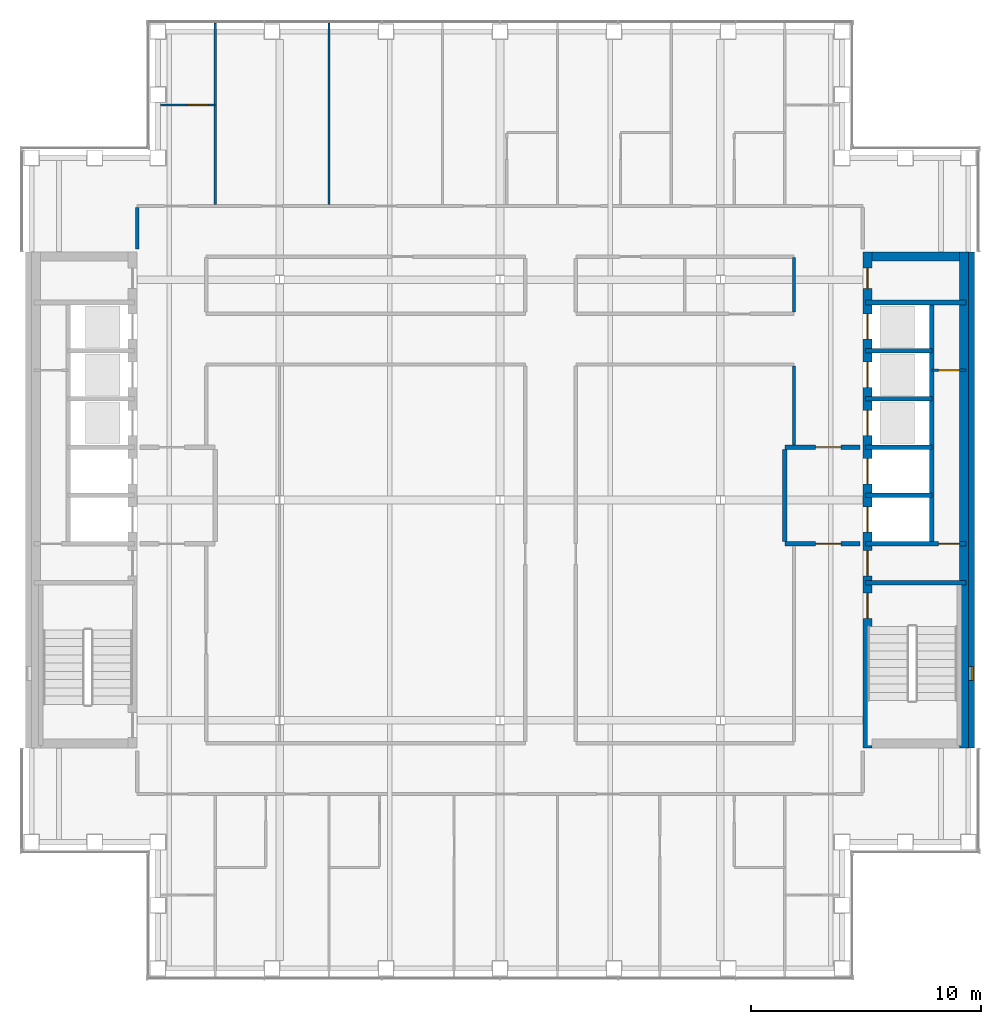
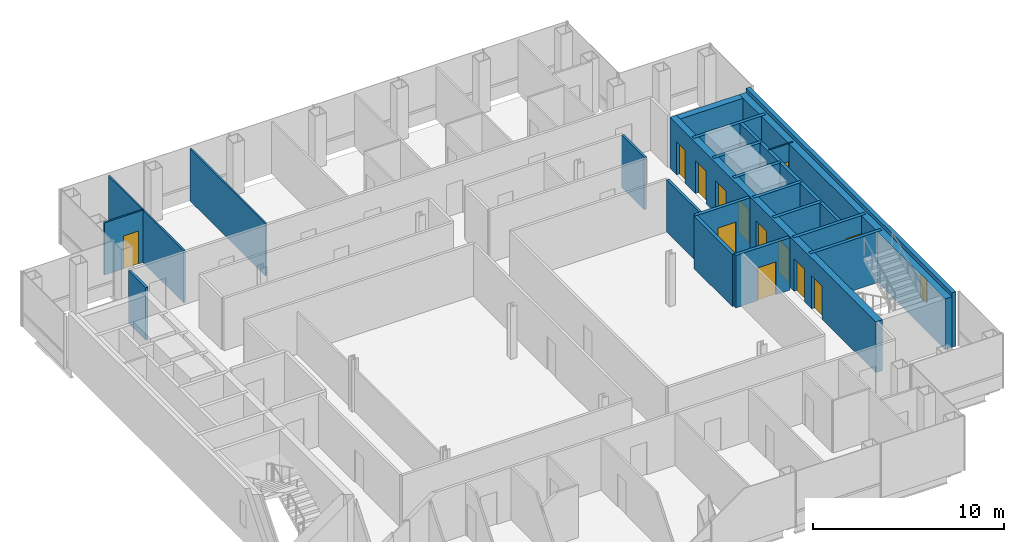
# One storey, part 12 of 15: 22 walls, 13 doors, 1 window, 14 openings.
"""IFC4 building model written with IfcOpenShell, lengths in metres."""

from ifc_helpers import new_model, si_unit, direction, frame, frame_2d, origin, place, context, subcontext, project, spatial, rectangle, extrude, material, layer, layer_set, type_object, element, fill, save


model = new_model("IFC4")

# Units and contexts
model_context = context("Model", 3, precision=1e-05, world=origin(), true_north=direction((0.0, 1.0)))
body_context = subcontext(model_context, "Body", "Model", "MODEL_VIEW")
ifc_project = project(units=[si_unit("LENGTHUNIT", "METRE"), si_unit("AREAUNIT", "SQUARE_METRE"), si_unit("VOLUMEUNIT", "CUBIC_METRE"), si_unit("PLANEANGLEUNIT", "RADIAN"), si_unit("MASSUNIT", "GRAM", prefix="KILO")], contexts=[model_context])

# Site, building, storey
site_placement = place(None, origin())
site = spatial("IfcSite", under=ifc_project, at=site_placement, CompositionType="ELEMENT")
building_placement = place(site_placement, origin())
building = spatial("IfcBuilding", under=site, at=building_placement, Name="Cobrizo Arcos Hotel Tower", CompositionType="ELEMENT")
storey_placement = place(building_placement, frame((0.0, 0.0, 215.5)))
storey = spatial("IfcBuildingStorey", under=building, at=storey_placement, Name="L56", CompositionType="ELEMENT", Elevation=215.5)

# Walls
ifc_material_1 = material(Name="Gypsum board partition")
ifc_layer_1 = layer(ifc_material_1, 0.14990234375)
ifc_layer_set_1 = layer_set([ifc_layer_1], Name="Corridor wall EI 60 150")
wall_type_1 = type_object("IfcWallType", Name="Corridor wall EI 60 150", PredefinedType="PARTITIONING", material=ifc_layer_set_1)
wall_1_placement = place(storey_placement, frame((-15.800048828125, 10.919921875, 0.0), z_axis=(0.0, 0.0, 1.0), x_axis=(0.0, 1.0, 0.0)))
element("IfcWall", 1, at=wall_1_placement, inside=storey, type_object=wall_type_1, Name="Partition 044", PredefinedType="PARTITIONING", context=body_context, shape_type="SweptSolid", body=[
    extrude(rectangle(XDim=1.80517578125, YDim=0.14990234375, at=frame_2d((0.902587890625, 0.0))), origin(), (0.0, 0.0, 1.0), 3.35009765625),
])
wall_2_placement = place(storey_placement, frame((12.800048828125, 2.39990234375, 0.0), z_axis=(0.0, 0.0, 1.0), x_axis=(0.0, 1.0, 0.0)))
element("IfcWall", 2, at=wall_2_placement, inside=storey, type_object=wall_type_1, Name="Partition 079", PredefinedType="PARTITIONING", context=body_context, shape_type="SweptSolid", body=[
    extrude(rectangle(XDim=3.425048828125, YDim=0.14990234375, at=frame_2d((1.71240234375, 0.0))), origin(), (0.0, 0.0, 1.0), 3.35009765625),
])
wall_3_placement = place(storey_placement, frame((12.800048828125, 8.175048828125, 0.0), z_axis=(0.0, 0.0, 1.0), x_axis=(0.0, 1.0, 0.0)))
element("IfcWall", 3, at=wall_3_placement, inside=storey, type_object=wall_type_1, Name="Partition 080", PredefinedType="PARTITIONING", context=body_context, shape_type="SweptSolid", body=[
    extrude(rectangle(XDim=2.375, YDim=0.14990234375, at=frame_2d((1.1875, 0.0))), origin(), (0.0, 0.0, 1.0), 3.35009765625),
])

# Wall, opening, window
ifc_material_2 = material(Name="Aluminium composite panel pale metal", Category="aluminium")
ifc_layer_2 = layer(ifc_material_2, 0.25)
ifc_layer_set_2 = layer_set([ifc_layer_2], Name="EW-1 insulated panel wall 250")
wall_type_2 = type_object("IfcWallType", Name="EW-1 insulated panel wall 250", PredefinedType="SOLIDWALL", material=ifc_layer_set_2)
wall_4_placement = place(storey_placement, frame((20.52490234375, -10.800048828125, 0.0), z_axis=(0.0, 0.0, 1.0), x_axis=(0.0, 1.0, 0.0)))
wall_4 = element("IfcWall", 4, at=wall_4_placement, inside=storey, type_object=wall_type_2, Name="Core face wall L56 E", PredefinedType="SOLIDWALL", context=body_context, shape_type="SweptSolid", body=[
    extrude(rectangle(XDim=21.60009765625, YDim=0.25, at=frame_2d((10.800048828125, 0.0))), origin(), (0.0, 0.0, 1.0), 3.5),
])
opening_1_placement = place(wall_4_placement, frame((2.949951171875, 0.0, 1.0)))
opening_1 = element("IfcOpeningElement", 5, at=opening_1_placement, cuts=wall_4, Name="Opening W-125", PredefinedType="OPENING", context=body_context, shape_type="SweptSolid", body=[
    extrude(rectangle(XDim=0.60009765625, YDim=1.5, at=frame_2d((0.300048828125, 0.75))), frame((0.0, 0.136962890625, 0.0), z_axis=(0.0, -1.0, 0.0), x_axis=(1.0, 0.0, 0.0)), (0.0, 0.0, 1.0), 0.27392578125),
])
ifc_material_3 = material(Name="Aluminium 6063-T6 and clear laminated glass", Category="aluminium")
window_type = type_object("IfcWindowType", Name="W-C1 core stair slot window 600x1500", PartitioningType="SINGLE_PANEL", PredefinedType="WINDOW", material=ifc_material_3)
window_placement = place(opening_1_placement, origin())
window = element("IfcWindow", 6, at=window_placement, inside=storey, type_object=window_type, Name="Core face wall L56 E window W-125", OverallHeight=1.5, OverallWidth=0.60009765625, PartitioningType="SINGLE_PANEL", PredefinedType="WINDOW", context=body_context, shape_type="SweptSolid", body=[
    extrude(rectangle(XDim=0.60009765625, YDim=1.5, at=frame_2d((0.300048828125, 0.75))), frame((0.0, -0.034912109375, 0.0), z_axis=(0.0, -1.0, 0.0), x_axis=(1.0, 0.0, 0.0)), (0.0, 0.0, 1.0), 0.06005859375),
])
fill(opening_1, window)

# Wall, opening, door
ifc_layer_3 = layer(ifc_material_1, 0.10009765625)
ifc_layer_set_3 = layer_set([ifc_layer_3], Name="Partition EI 30 100")
wall_type_3 = type_object("IfcWallType", Name="Partition EI 30 100", PredefinedType="PARTITIONING", material=ifc_layer_set_3)
wall_5_placement = place(storey_placement, frame((18.800048828125, 5.64990234375, 0.0), z_axis=(0.0, 0.0, 1.0), x_axis=(1.0, 0.0, 0.0)))
wall_5 = element("IfcWall", 7, at=wall_5_placement, inside=storey, type_object=wall_type_3, Name="Partition 024", PredefinedType="PARTITIONING", context=body_context, shape_type="SweptSolid", body=[
    extrude(rectangle(XDim=1.47998046875, YDim=0.10009765625, at=frame_2d((0.739990234375, 0.0))), origin(), (0.0, 0.0, 1.0), 3.25),
])
opening_2_placement = place(wall_5_placement, frame((0.300048828125, 0.0, 0.0)))
opening_2 = element("IfcOpeningElement", 8, at=opening_2_placement, cuts=wall_5, Name="Opening RD-05", PredefinedType="OPENING", context=body_context, shape_type="SweptSolid", body=[
    extrude(rectangle(XDim=0.89990234375, YDim=2.10009765625, at=frame_2d((0.449951171875, 1.050048828125))), frame((0.0, 0.06201171875, 0.0), z_axis=(0.0, -1.0, 0.0), x_axis=(1.0, 0.0, 0.0)), (0.0, 0.0, 1.0), 0.1240234375),
])
ifc_material_4 = material(Name="Timber door leaf", Category="wood")
door_type_1 = type_object("IfcDoorType", Name="Room door FD30 900x2100", OperationType="SINGLE_SWING_LEFT", PredefinedType="DOOR", material=ifc_material_4)
door_1_placement = place(opening_2_placement, origin())
door_1 = element("IfcDoor", 9, at=door_1_placement, inside=storey, type_object=door_type_1, Name="Door RD-05", OperationType="SINGLE_SWING_LEFT", OverallHeight=2.10009765625, OverallWidth=0.89990234375, PredefinedType="DOOR", context=body_context, shape_type="SweptSolid", body=[
    extrude(rectangle(XDim=0.89990234375, YDim=2.10009765625, at=frame_2d((0.449951171875, 1.050048828125))), frame((0.0, 0.02490234375, 0.0), z_axis=(0.0, -1.0, 0.0), x_axis=(1.0, 0.0, 0.0)), (0.0, 0.0, 1.0), 0.050048828125),
])
fill(opening_2, door_1)

wall_6_placement = place(storey_placement, frame((-14.780029296875, 17.199951171875, 0.0), z_axis=(0.0, 0.0, 1.0), x_axis=(1.0, 0.0, 0.0)))
wall_6 = element("IfcWall", 10, at=wall_6_placement, inside=storey, type_object=wall_type_3, Name="Partition 039", PredefinedType="PARTITIONING", context=body_context, shape_type="SweptSolid", body=[
    extrude(rectangle(XDim=2.380126953125, YDim=0.10009765625, at=frame_2d((1.18994140625, 0.0))), origin(), (0.0, 0.0, 1.0), 3.35009765625),
])
opening_3_placement = place(wall_6_placement, frame((1.16796875, 0.0, 0.0)))
opening_3 = element("IfcOpeningElement", 11, at=opening_3_placement, cuts=wall_6, Name="Opening ED-09", PredefinedType="OPENING", context=body_context, shape_type="SweptSolid", body=[
    extrude(rectangle(XDim=0.89990234375, YDim=2.10009765625, at=frame_2d((0.449951171875, 1.050048828125))), frame((0.0, 0.06201171875, 0.0), z_axis=(0.0, -1.0, 0.0), x_axis=(1.0, 0.0, 0.0)), (0.0, 0.0, 1.0), 0.1240234375),
])
door_type_2 = type_object("IfcDoorType", Name="En-suite door 900x2100", OperationType="SINGLE_SWING_LEFT", PredefinedType="DOOR", material=ifc_material_4)
door_2_placement = place(opening_3_placement, origin())
door_2 = element("IfcDoor", 12, at=door_2_placement, inside=storey, type_object=door_type_2, Name="Door ED-09", OperationType="SINGLE_SWING_RIGHT", OverallHeight=2.10009765625, OverallWidth=0.89990234375, PredefinedType="DOOR", context=body_context, shape_type="SweptSolid", body=[
    extrude(rectangle(XDim=0.89990234375, YDim=2.10009765625, at=frame_2d((0.449951171875, 1.050048828125))), frame((0.0, 0.02490234375, 0.0), z_axis=(0.0, -1.0, 0.0), x_axis=(1.0, 0.0, 0.0)), (0.0, 0.0, 1.0), 0.050048828125),
])
fill(opening_3, door_2)

# Walls
for number, where, z_axis, x_axis, name in (
    (13, (-12.39990234375, 12.875, 0.0), (0.0, 0.0, 1.0), (0.0, 1.0, 0.0), "Partition 050"),
    (14, (-7.449951171875, 12.875, 0.0), (0.0, 0.0, 1.0), (0.0, 1.0, 0.0), "Partition 058"),
):
    element("IfcWall", number, at=place(storey_placement, frame(where, z_axis=z_axis, x_axis=x_axis)), inside=storey, type_object=wall_type_3, Name=name, PredefinedType="PARTITIONING", context=body_context, shape_type="SweptSolid", body=[
        extrude(rectangle(XDim=7.905029296875, YDim=0.10009765625, at=frame_2d((3.95263671875, 0.0))), origin(), (0.0, 0.0, 1.0), 3.35009765625),
    ])

# Wall, openings, doors
ifc_material_5 = material(Name="Concrete f'c 40 MPa", Category="concrete")
ifc_layer_4 = layer(ifc_material_5, 0.39990234375)
ifc_layer_set_4 = layer_set([ifc_layer_4], Name="RC core wall 400 f'c 40")
wall_type_4 = type_object("IfcWallType", Name="RC core wall 400 f'c 40", PredefinedType="SHEAR", material=ifc_layer_set_4)
wall_7_placement = place(storey_placement, frame((16.0, -10.800048828125, 0.0), z_axis=(0.0, 0.0, 1.0), x_axis=(0.0, 1.0, 0.0)))
wall_7 = element("IfcWall", 15, at=wall_7_placement, inside=storey, type_object=wall_type_4, Name="Core wall CW4, east core, inner face, L56", PredefinedType="SHEAR", context=body_context, shape_type="SweptSolid", body=[
    extrude(rectangle(XDim=21.60009765625, YDim=0.39990234375, at=frame_2d((10.800048828125, 0.0))), origin(), (0.0, 0.0, 1.0), 3.25),
])
opening_4_placement = place(wall_7_placement, frame((9.39990234375, 0.0, 0.0)))
opening_4 = element("IfcOpeningElement", 16, at=opening_4_placement, cuts=wall_7, Name="Opening LD-06", PredefinedType="OPENING", context=body_context, shape_type="SweptSolid", body=[
    extrude(rectangle(XDim=1.10009765625, YDim=2.10009765625, at=frame_2d((0.550048828125, 1.050048828125))), frame((0.0, 0.2119140625, 0.0), z_axis=(0.0, -1.0, 0.0), x_axis=(1.0, 0.0, 0.0)), (0.0, 0.0, 1.0), 0.423828125),
])
opening_5_placement = place(wall_7_placement, frame((11.5, 0.0, 0.0)))
opening_5 = element("IfcOpeningElement", 17, at=opening_5_placement, cuts=wall_7, Name="Opening LD-07", PredefinedType="OPENING", context=body_context, shape_type="SweptSolid", body=[
    extrude(rectangle(XDim=1.10009765625, YDim=2.10009765625, at=frame_2d((0.550048828125, 1.050048828125))), frame((0.0, 0.2119140625, 0.0), z_axis=(0.0, -1.0, 0.0), x_axis=(1.0, 0.0, 0.0)), (0.0, 0.0, 1.0), 0.423828125),
])
opening_6_placement = place(wall_7_placement, frame((13.60009765625, 0.0, 0.0)))
opening_6 = element("IfcOpeningElement", 18, at=opening_6_placement, cuts=wall_7, Name="Opening LD-08", PredefinedType="OPENING", context=body_context, shape_type="SweptSolid", body=[
    extrude(rectangle(XDim=1.10009765625, YDim=2.10009765625, at=frame_2d((0.550048828125, 1.050048828125))), frame((0.0, 0.2119140625, 0.0), z_axis=(0.0, -1.0, 0.0), x_axis=(1.0, 0.0, 0.0)), (0.0, 0.0, 1.0), 0.423828125),
])
opening_7_placement = place(wall_7_placement, frame((15.699951171875, 0.0, 0.0)))
opening_7 = element("IfcOpeningElement", 19, at=opening_7_placement, cuts=wall_7, Name="Opening LD-09", PredefinedType="OPENING", context=body_context, shape_type="SweptSolid", body=[
    extrude(rectangle(XDim=1.10009765625, YDim=2.10009765625, at=frame_2d((0.550048828125, 1.050048828125))), frame((0.0, 0.2119140625, 0.0), z_axis=(0.0, -1.0, 0.0), x_axis=(1.0, 0.0, 0.0)), (0.0, 0.0, 1.0), 0.423828125),
])
opening_8_placement = place(wall_7_placement, frame((17.800048828125, 0.0, 0.0)))
opening_8 = element("IfcOpeningElement", 20, at=opening_8_placement, cuts=wall_7, Name="Opening LD-10", PredefinedType="OPENING", context=body_context, shape_type="SweptSolid", body=[
    extrude(rectangle(XDim=1.10009765625, YDim=2.10009765625, at=frame_2d((0.550048828125, 1.050048828125))), frame((0.0, 0.2119140625, 0.0), z_axis=(0.0, -1.0, 0.0), x_axis=(1.0, 0.0, 0.0)), (0.0, 0.0, 1.0), 0.423828125),
])
opening_9_placement = place(wall_7_placement, frame((5.64208984375, 0.0, 0.0)))
opening_9 = element("IfcOpeningElement", 21, at=opening_9_placement, cuts=wall_7, Name="Opening SD-02", PredefinedType="OPENING", context=body_context, shape_type="SweptSolid", body=[
    extrude(rectangle(XDim=1.10009765625, YDim=2.10009765625, at=frame_2d((0.550048828125, 1.050048828125))), frame((0.0, 0.2119140625, 0.0), z_axis=(0.0, -1.0, 0.0), x_axis=(1.0, 0.0, 0.0)), (0.0, 0.0, 1.0), 0.423828125),
])
opening_10_placement = place(wall_7_placement, frame((7.5, 0.0, 0.0)))
opening_10 = element("IfcOpeningElement", 22, at=opening_10_placement, cuts=wall_7, Name="Opening FD-04", PredefinedType="OPENING", context=body_context, shape_type="SweptSolid", body=[
    extrude(rectangle(XDim=1.10009765625, YDim=2.10009765625, at=frame_2d((0.550048828125, 1.050048828125))), frame((0.0, 0.2119140625, 0.0), z_axis=(0.0, -1.0, 0.0), x_axis=(1.0, 0.0, 0.0)), (0.0, 0.0, 1.0), 0.423828125),
])
opening_11_placement = place(wall_7_placement, frame((20.0, 0.0, 0.0)))
opening_11 = element("IfcOpeningElement", 23, at=opening_11_placement, cuts=wall_7, Name="Opening ED-01", PredefinedType="OPENING", context=body_context, shape_type="SweptSolid", body=[
    extrude(rectangle(XDim=0.89990234375, YDim=2.10009765625, at=frame_2d((0.449951171875, 1.050048828125))), frame((0.0, 0.2119140625, 0.0), z_axis=(0.0, -1.0, 0.0), x_axis=(1.0, 0.0, 0.0)), (0.0, 0.0, 1.0), 0.423828125),
])
door_3_placement = place(opening_11_placement, origin())
door_3 = element("IfcDoor", 24, at=door_3_placement, inside=storey, type_object=door_type_2, Name="Door ED-01", OperationType="SINGLE_SWING_RIGHT", OverallHeight=2.10009765625, OverallWidth=0.89990234375, PredefinedType="DOOR", context=body_context, shape_type="SweptSolid", body=[
    extrude(rectangle(XDim=0.89990234375, YDim=2.10009765625, at=frame_2d((0.449951171875, 1.050048828125))), frame((0.0, 0.02490234375, 0.0), z_axis=(0.0, -1.0, 0.0), x_axis=(1.0, 0.0, 0.0)), (0.0, 0.0, 1.0), 0.050048828125),
])
fill(opening_11, door_3)
ifc_material_6 = material(Name="Steel door leaf", Category="steel")
door_type_3 = type_object("IfcDoorType", Name="Fire door FD60 1100x2100", OperationType="SINGLE_SWING_LEFT", PredefinedType="DOOR", material=ifc_material_6)
door_4_placement = place(opening_10_placement, origin())
door_4 = element("IfcDoor", 25, at=door_4_placement, inside=storey, type_object=door_type_3, Name="Door FD-04", OperationType="SINGLE_SWING_LEFT", OverallHeight=2.10009765625, OverallWidth=1.10009765625, PredefinedType="DOOR", context=body_context, shape_type="SweptSolid", body=[
    extrude(rectangle(XDim=1.10009765625, YDim=2.10009765625, at=frame_2d((0.550048828125, 1.050048828125))), frame((0.0, 0.02490234375, 0.0), z_axis=(0.0, -1.0, 0.0), x_axis=(1.0, 0.0, 0.0)), (0.0, 0.0, 1.0), 0.050048828125),
])
fill(opening_10, door_4)
door_type_4 = type_object("IfcDoorType", Name="Lift landing door 1100x2100", OperationType="SLIDING_TO_LEFT", PredefinedType="DOOR", material=ifc_material_6)
door_5_placement = place(opening_4_placement, origin())
door_5 = element("IfcDoor", 26, at=door_5_placement, inside=storey, type_object=door_type_4, Name="Lift landing door LD-06", OperationType="SLIDING_TO_LEFT", OverallHeight=2.10009765625, OverallWidth=1.10009765625, PredefinedType="DOOR", context=body_context, shape_type="SweptSolid", body=[
    extrude(rectangle(XDim=1.10009765625, YDim=2.10009765625, at=frame_2d((0.550048828125, 1.050048828125))), frame((0.0, 0.02490234375, 0.0), z_axis=(0.0, -1.0, 0.0), x_axis=(1.0, 0.0, 0.0)), (0.0, 0.0, 1.0), 0.050048828125),
])
fill(opening_4, door_5)
door_6_placement = place(opening_5_placement, origin())
door_6 = element("IfcDoor", 27, at=door_6_placement, inside=storey, type_object=door_type_4, Name="Lift landing door LD-07", OperationType="SLIDING_TO_LEFT", OverallHeight=2.10009765625, OverallWidth=1.10009765625, PredefinedType="DOOR", context=body_context, shape_type="SweptSolid", body=[
    extrude(rectangle(XDim=1.10009765625, YDim=2.10009765625, at=frame_2d((0.550048828125, 1.050048828125))), frame((0.0, 0.02490234375, 0.0), z_axis=(0.0, -1.0, 0.0), x_axis=(1.0, 0.0, 0.0)), (0.0, 0.0, 1.0), 0.050048828125),
])
fill(opening_5, door_6)
door_7_placement = place(opening_6_placement, origin())
door_7 = element("IfcDoor", 28, at=door_7_placement, inside=storey, type_object=door_type_4, Name="Lift landing door LD-08", OperationType="SLIDING_TO_LEFT", OverallHeight=2.10009765625, OverallWidth=1.10009765625, PredefinedType="DOOR", context=body_context, shape_type="SweptSolid", body=[
    extrude(rectangle(XDim=1.10009765625, YDim=2.10009765625, at=frame_2d((0.550048828125, 1.050048828125))), frame((0.0, 0.02490234375, 0.0), z_axis=(0.0, -1.0, 0.0), x_axis=(1.0, 0.0, 0.0)), (0.0, 0.0, 1.0), 0.050048828125),
])
fill(opening_6, door_7)
door_8_placement = place(opening_7_placement, origin())
door_8 = element("IfcDoor", 29, at=door_8_placement, inside=storey, type_object=door_type_4, Name="Lift landing door LD-09", OperationType="SLIDING_TO_LEFT", OverallHeight=2.10009765625, OverallWidth=1.10009765625, PredefinedType="DOOR", context=body_context, shape_type="SweptSolid", body=[
    extrude(rectangle(XDim=1.10009765625, YDim=2.10009765625, at=frame_2d((0.550048828125, 1.050048828125))), frame((0.0, 0.02490234375, 0.0), z_axis=(0.0, -1.0, 0.0), x_axis=(1.0, 0.0, 0.0)), (0.0, 0.0, 1.0), 0.050048828125),
])
fill(opening_7, door_8)
door_9_placement = place(opening_8_placement, origin())
door_9 = element("IfcDoor", 30, at=door_9_placement, inside=storey, type_object=door_type_4, Name="Lift landing door LD-10", OperationType="SLIDING_TO_LEFT", OverallHeight=2.10009765625, OverallWidth=1.10009765625, PredefinedType="DOOR", context=body_context, shape_type="SweptSolid", body=[
    extrude(rectangle(XDim=1.10009765625, YDim=2.10009765625, at=frame_2d((0.550048828125, 1.050048828125))), frame((0.0, 0.02490234375, 0.0), z_axis=(0.0, -1.0, 0.0), x_axis=(1.0, 0.0, 0.0)), (0.0, 0.0, 1.0), 0.050048828125),
])
fill(opening_8, door_9)
door_type_5 = type_object("IfcDoorType", Name="Stair door FD60S 1100x2100", OperationType="SINGLE_SWING_LEFT", PredefinedType="DOOR", material=ifc_material_6)
door_10_placement = place(opening_9_placement, origin())
door_10 = element("IfcDoor", 31, at=door_10_placement, inside=storey, type_object=door_type_5, Name="Door SD-02", OperationType="SINGLE_SWING_LEFT", OverallHeight=2.10009765625, OverallWidth=1.10009765625, PredefinedType="DOOR", context=body_context, shape_type="SweptSolid", body=[
    extrude(rectangle(XDim=1.10009765625, YDim=2.10009765625, at=frame_2d((0.550048828125, 1.050048828125))), frame((0.0, 0.02490234375, 0.0), z_axis=(0.0, -1.0, 0.0), x_axis=(1.0, 0.0, 0.0)), (0.0, 0.0, 1.0), 0.050048828125),
])
fill(opening_9, door_10)

# Walls
wall_8_placement = place(storey_placement, frame((20.199951171875, -10.800048828125, 0.0), z_axis=(0.0, 0.0, 1.0), x_axis=(0.0, 1.0, 0.0)))
element("IfcWall", 32, at=wall_8_placement, inside=storey, type_object=wall_type_4, Name="Core wall CW4, east core, outer face, L56", PredefinedType="SHEAR", context=body_context, shape_type="SweptSolid", body=[
    extrude(rectangle(XDim=21.60009765625, YDim=0.39990234375, at=frame_2d((10.800048828125, 0.0))), origin(), (0.0, 0.0, 1.0), 3.25),
])
wall_9_placement = place(storey_placement, frame((16.199951171875, 10.60009765625, 0.0), z_axis=(0.0, 0.0, 1.0), x_axis=(1.0, 0.0, 0.0)))
element("IfcWall", 33, at=wall_9_placement, inside=storey, type_object=wall_type_4, Name="Core wall CW4, east core, north end, L56", PredefinedType="SHEAR", context=body_context, shape_type="SweptSolid", body=[
    extrude(rectangle(XDim=3.800048828125, YDim=0.39990234375, at=frame_2d((1.89990234375, 0.0))), origin(), (0.0, 0.0, 1.0), 3.25),
])

# Wall, opening, door
ifc_layer_5 = layer(ifc_material_1, 0.199951171875)
ifc_layer_set_5 = layer_set([ifc_layer_5], Name="Shaft wall EI 120 200")
wall_type_5 = type_object("IfcWallType", Name="Shaft wall EI 120 200", PredefinedType="PARTITIONING", material=ifc_layer_set_5)
wall_10_placement = place(storey_placement, frame((12.39990234375, -1.89990234375, 0.0), z_axis=(0.0, 0.0, 1.0), x_axis=(1.0, 0.0, 0.0)))
wall_10 = element("IfcWall", 34, at=wall_10_placement, inside=storey, type_object=wall_type_5, Name="Partition 013", PredefinedType="PARTITIONING", context=body_context, shape_type="SweptSolid", body=[
    extrude(rectangle(XDim=3.280029296875, YDim=0.199951171875, at=frame_2d((1.64013671875, 0.0))), origin(), (0.0, 0.0, 1.0), 3.35009765625),
])
opening_12_placement = place(wall_10_placement, frame((1.340087890625, 0.0, 0.0)))
opening_12 = element("IfcOpeningElement", 35, at=opening_12_placement, cuts=wall_10, Name="Opening FD-06", PredefinedType="OPENING", context=body_context, shape_type="SweptSolid", body=[
    extrude(rectangle(XDim=1.10009765625, YDim=2.10009765625, at=frame_2d((0.550048828125, 1.050048828125))), frame((0.0, 0.112060546875, 0.0), z_axis=(0.0, -1.0, 0.0), x_axis=(1.0, 0.0, 0.0)), (0.0, 0.0, 1.0), 0.223876953125),
])
door_11_placement = place(opening_12_placement, origin())
door_11 = element("IfcDoor", 36, at=door_11_placement, inside=storey, type_object=door_type_3, Name="Door FD-06", OperationType="SINGLE_SWING_RIGHT", OverallHeight=2.10009765625, OverallWidth=1.10009765625, PredefinedType="DOOR", context=body_context, shape_type="SweptSolid", body=[
    extrude(rectangle(XDim=1.10009765625, YDim=2.10009765625, at=frame_2d((0.550048828125, 1.050048828125))), frame((0.0, 0.02490234375, 0.0), z_axis=(0.0, -1.0, 0.0), x_axis=(1.0, 0.0, 0.0)), (0.0, 0.0, 1.0), 0.050048828125),
])
fill(opening_12, door_11)

wall_11_placement = place(storey_placement, frame((15.919921875, -1.89990234375, 0.0), z_axis=(0.0, 0.0, 1.0), x_axis=(1.0, 0.0, 0.0)))
wall_11 = element("IfcWall", 37, at=wall_11_placement, inside=storey, type_object=wall_type_5, Name="Partition 014", PredefinedType="PARTITIONING", context=body_context, shape_type="SweptSolid", body=[
    extrude(rectangle(XDim=4.360107421875, YDim=0.199951171875, at=frame_2d((2.18017578125, 0.0))), origin(), (0.0, 0.0, 1.0), 3.25),
])
opening_13_placement = place(wall_11_placement, frame((3.179931640625, 0.0, 0.0)))
opening_13 = element("IfcOpeningElement", 38, at=opening_13_placement, cuts=wall_11, Name="Opening RD-04", PredefinedType="OPENING", context=body_context, shape_type="SweptSolid", body=[
    extrude(rectangle(XDim=0.89990234375, YDim=2.10009765625, at=frame_2d((0.449951171875, 1.050048828125))), frame((0.0, 0.112060546875, 0.0), z_axis=(0.0, -1.0, 0.0), x_axis=(1.0, 0.0, 0.0)), (0.0, 0.0, 1.0), 0.223876953125),
])
door_12_placement = place(opening_13_placement, origin())
door_12 = element("IfcDoor", 39, at=door_12_placement, inside=storey, type_object=door_type_1, Name="Door RD-04", OperationType="SINGLE_SWING_LEFT", OverallHeight=2.10009765625, OverallWidth=0.89990234375, PredefinedType="DOOR", context=body_context, shape_type="SweptSolid", body=[
    extrude(rectangle(XDim=0.89990234375, YDim=2.10009765625, at=frame_2d((0.449951171875, 1.050048828125))), frame((0.0, 0.02490234375, 0.0), z_axis=(0.0, -1.0, 0.0), x_axis=(1.0, 0.0, 0.0)), (0.0, 0.0, 1.0), 0.050048828125),
])
fill(opening_13, door_12)

# Wall
wall_12_placement = place(storey_placement, frame((15.919921875, 0.199951171875, 0.0), z_axis=(0.0, 0.0, 1.0), x_axis=(1.0, 0.0, 0.0)))
element("IfcWall", 40, at=wall_12_placement, inside=storey, type_object=wall_type_5, Name="Partition 016", PredefinedType="PARTITIONING", context=body_context, shape_type="SweptSolid", body=[
    extrude(rectangle(XDim=2.880126953125, YDim=0.199951171875, at=frame_2d((1.43994140625, 0.0))), origin(), (0.0, 0.0, 1.0), 3.25),
])

# Wall, opening, door
wall_13_placement = place(storey_placement, frame((12.39990234375, 2.300048828125, 0.0), z_axis=(0.0, 0.0, 1.0), x_axis=(1.0, 0.0, 0.0)))
wall_13 = element("IfcWall", 41, at=wall_13_placement, inside=storey, type_object=wall_type_5, Name="Partition 019", PredefinedType="PARTITIONING", context=body_context, shape_type="SweptSolid", body=[
    extrude(rectangle(XDim=3.280029296875, YDim=0.199951171875, at=frame_2d((1.64013671875, 0.0))), origin(), (0.0, 0.0, 1.0), 3.35009765625),
])
opening_14_placement = place(wall_13_placement, frame((1.340087890625, 0.0, 0.0)))
opening_14 = element("IfcOpeningElement", 42, at=opening_14_placement, cuts=wall_13, Name="Opening FD-05", PredefinedType="OPENING", context=body_context, shape_type="SweptSolid", body=[
    extrude(rectangle(XDim=1.10009765625, YDim=2.10009765625, at=frame_2d((0.550048828125, 1.050048828125))), frame((0.0, 0.112060546875, 0.0), z_axis=(0.0, -1.0, 0.0), x_axis=(1.0, 0.0, 0.0)), (0.0, 0.0, 1.0), 0.223876953125),
])
door_13_placement = place(opening_14_placement, origin())
door_13 = element("IfcDoor", 43, at=door_13_placement, inside=storey, type_object=door_type_3, Name="Door FD-05", OperationType="SINGLE_SWING_LEFT", OverallHeight=2.10009765625, OverallWidth=1.10009765625, PredefinedType="DOOR", context=body_context, shape_type="SweptSolid", body=[
    extrude(rectangle(XDim=1.10009765625, YDim=2.10009765625, at=frame_2d((0.550048828125, 1.050048828125))), frame((0.0, 0.02490234375, 0.0), z_axis=(0.0, -1.0, 0.0), x_axis=(1.0, 0.0, 0.0)), (0.0, 0.0, 1.0), 0.050048828125),
])
fill(opening_14, door_13)

# Walls
for number, where, z_axis, x_axis, name in (
    (44, (15.919921875, 2.300048828125, 0.0), (0.0, 0.0, 1.0), (1.0, 0.0, 0.0), "Partition 020"),
    (45, (15.919921875, 4.39990234375, 0.0), (0.0, 0.0, 1.0), (1.0, 0.0, 0.0), "Partition 022"),
    (46, (15.919921875, 6.5, 0.0), (0.0, 0.0, 1.0), (1.0, 0.0, 0.0), "Partition 028"),
):
    element("IfcWall", number, at=place(storey_placement, frame(where, z_axis=z_axis, x_axis=x_axis)), inside=storey, type_object=wall_type_5, Name=name, PredefinedType="PARTITIONING", context=body_context, shape_type="SweptSolid", body=[
        extrude(rectangle(XDim=2.880126953125, YDim=0.199951171875, at=frame_2d((1.43994140625, 0.0))), origin(), (0.0, 0.0, 1.0), 3.25),
    ])
wall_14_placement = place(storey_placement, frame((15.919921875, 8.60009765625, 0.0), z_axis=(0.0, 0.0, 1.0), x_axis=(1.0, 0.0, 0.0)))
element("IfcWall", 47, at=wall_14_placement, inside=storey, type_object=wall_type_5, Name="Partition 032", PredefinedType="PARTITIONING", context=body_context, shape_type="SweptSolid", body=[
    extrude(rectangle(XDim=4.360107421875, YDim=0.199951171875, at=frame_2d((2.18017578125, 0.0))), origin(), (0.0, 0.0, 1.0), 3.25),
])
wall_15_placement = place(storey_placement, frame((12.39990234375, -1.800048828125, 0.0), z_axis=(0.0, 0.0, 1.0), x_axis=(0.0, 1.0, 0.0)))
element("IfcWall", 48, at=wall_15_placement, inside=storey, type_object=wall_type_5, Name="Partition 076", PredefinedType="PARTITIONING", context=body_context, shape_type="SweptSolid", body=[
    extrude(rectangle(XDim=4.0, YDim=0.199951171875, at=frame_2d((2.0, 0.0))), origin(), (0.0, 0.0, 1.0), 3.35009765625),
])
wall_16_placement = place(storey_placement, frame((18.800048828125, -1.800048828125, 0.0), z_axis=(0.0, 0.0, 1.0), x_axis=(0.0, 1.0, 0.0)))
element("IfcWall", 49, at=wall_16_placement, inside=storey, type_object=wall_type_5, Name="Partition 083", PredefinedType="PARTITIONING", context=body_context, shape_type="SweptSolid", body=[
    extrude(rectangle(XDim=10.300048828125, YDim=0.199951171875, at=frame_2d((5.14990234375, 0.0))), origin(), (0.0, 0.0, 1.0), 3.25),
])
ifc_layer_6 = layer(ifc_material_5, 0.199951171875)
ifc_layer_set_6 = layer_set([ifc_layer_6], Name="Stair shaft wall 200")
wall_type_6 = type_object("IfcWallType", Name="Stair shaft wall 200", PredefinedType="SHEAR", material=ifc_layer_set_6)
wall_17_placement = place(storey_placement, frame((15.919921875, -3.60009765625, 0.0), z_axis=(0.0, 0.0, 1.0), x_axis=(1.0, 0.0, 0.0)))
element("IfcWall", 50, at=wall_17_placement, inside=storey, type_object=wall_type_6, Name="Stair shaft wall E", PredefinedType="SHEAR", context=body_context, shape_type="SweptSolid", body=[
    extrude(rectangle(XDim=4.360107421875, YDim=0.199951171875, at=frame_2d((2.18017578125, 0.0))), origin(), (0.0, 0.0, 1.0), 3.25),
])

save(model, "model.ifc")
